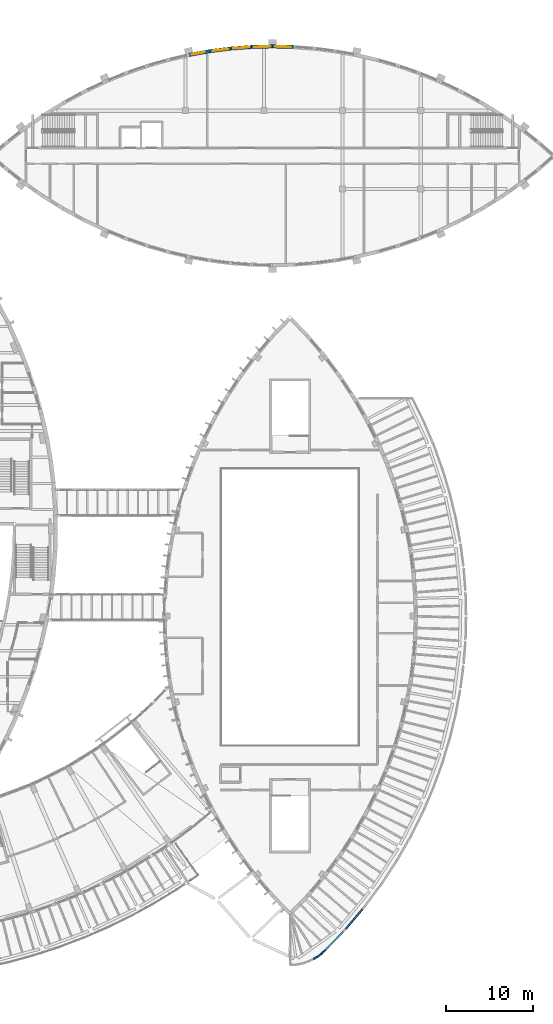
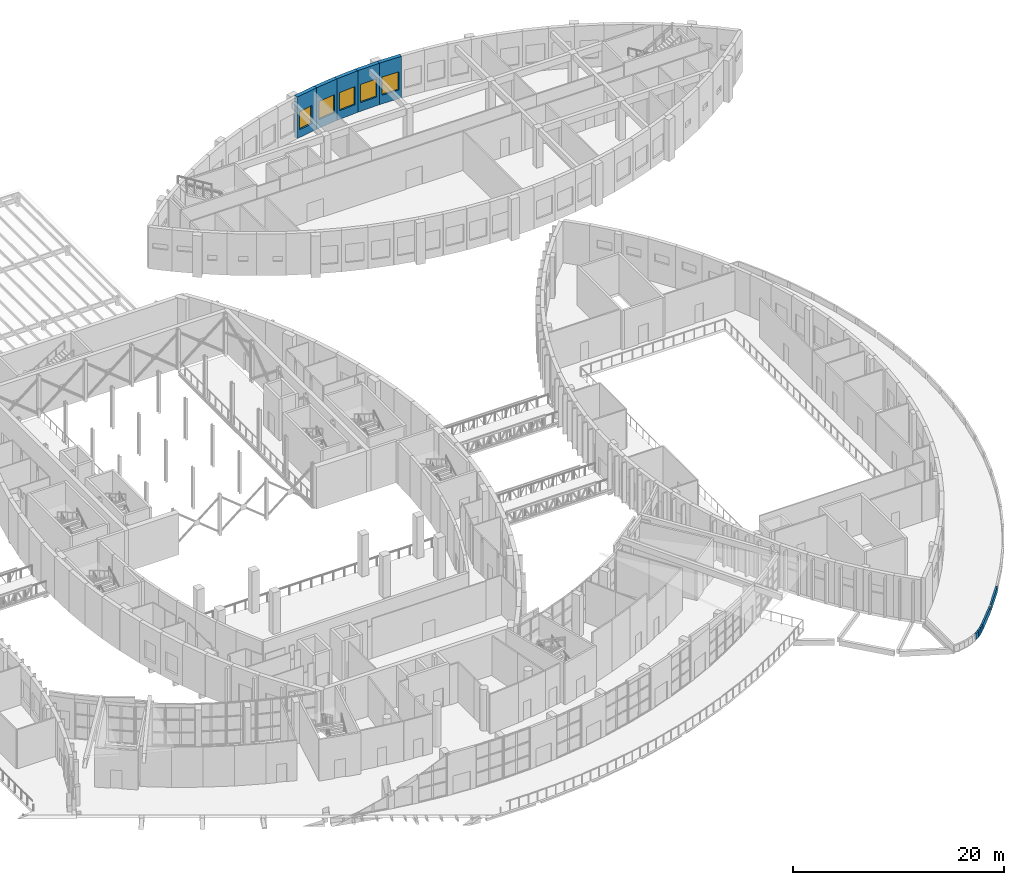
# One storey, part 72 of 93: 10 walls, 5 windows, 5 openings.
"""IFC4 building model written with IfcOpenShell, lengths in metres."""

from ifc_helpers import new_model, si_unit, direction, frame, frame_2d, origin, place, context, subcontext, project, spatial, rectangle, extrude, material, layer, layer_set, type_object, element, fill, save


model = new_model("IFC4")

# Units and contexts
model_context = context("Model", 3, precision=1e-05, world=origin(), true_north=direction((0.0, 1.0)))
body_context = subcontext(model_context, "Body", "Model", "MODEL_VIEW")
ifc_project = project(units=[si_unit("LENGTHUNIT", "METRE"), si_unit("AREAUNIT", "SQUARE_METRE"), si_unit("VOLUMEUNIT", "CUBIC_METRE"), si_unit("PLANEANGLEUNIT", "RADIAN"), si_unit("MASSUNIT", "GRAM", prefix="KILO")], contexts=[model_context])

# Site, building, storey
site_placement = place(None, origin())
site = spatial("IfcSite", under=ifc_project, at=site_placement, CompositionType="ELEMENT")
building_placement = place(site_placement, origin())
building = spatial("IfcBuilding", under=site, at=building_placement, Name="Tide Square Theatres", CompositionType="ELEMENT")
storey_placement = place(building_placement, frame((0.0, 0.0, 5.39990234375)))
storey = spatial("IfcBuildingStorey", under=building, at=storey_placement, Name="L01", CompositionType="ELEMENT", Elevation=5.39990234375)

# Wall, opening, window
ifc_material_1 = material(Name="Concrete C40", Category="concrete")
ifc_layer_1 = layer(ifc_material_1, 0.39990234375)
ifc_layer_set_1 = layer_set([ifc_layer_1], Name="Concrete C40")
wall_type_1 = type_object("IfcWallType", Name="RC curved wall 400 thick", PredefinedType="SOLIDWALL", material=ifc_layer_set_1)
wall_1_placement = place(storey_placement, frame((132.4052734375, 110.30810546875, 0.0), z_axis=(0.0, 0.0, 1.0), x_axis=(-0.999683321759, 0.025164582196, 0.0)))
wall_1 = element("IfcWall", 1, at=wall_1_placement, inside=storey, type_object=wall_type_1, Name="Rehearsal Block perimeter wall 041", PredefinedType="SOLIDWALL", context=body_context, shape_type="SweptSolid", body=[
    extrude(rectangle(XDim=2.406005859375, YDim=0.39990234375, at=frame_2d((1.203125, 0.0))), origin(), (0.0, 0.0, 1.0), 4.800048828125),
])
opening_1_placement = place(wall_1_placement, frame((0.302978515625, 0.0, 1.0)))
opening_1 = element("IfcOpeningElement", 2, at=opening_1_placement, cuts=wall_1, Name="Opening WN-14", PredefinedType="OPENING", context=body_context, shape_type="SweptSolid", body=[
    extrude(rectangle(XDim=1.800048828125, YDim=2.10009765625, at=frame_2d((0.89990234375, 1.050048828125))), frame((0.0, 0.2099609375, 0.0), z_axis=(0.0, -1.0, 0.0), x_axis=(1.0, 0.0, 0.0)), (0.0, 0.0, 1.0), 0.419921875),
])
ifc_material_2 = material(Name="Aluminium with laminated glass", Category="aluminium")
window_type_1 = type_object("IfcWindowType", Name="Window 1800 x 2100", PartitioningType="DOUBLE_PANEL_VERTICAL", PredefinedType="WINDOW", material=ifc_material_2)
window_1_placement = place(opening_1_placement, origin())
window_1 = element("IfcWindow", 3, at=window_1_placement, inside=storey, type_object=window_type_1, Name="Rehearsal Block window L01-78", OverallHeight=2.10009765625, OverallWidth=1.800048828125, PartitioningType="SINGLE_PANEL", PredefinedType="WINDOW", context=body_context, shape_type="SweptSolid", body=[
    extrude(rectangle(XDim=1.800048828125, YDim=2.10009765625, at=frame_2d((0.89990234375, 1.050048828125))), frame((0.0, 0.030029296875, 0.0), z_axis=(0.0, -1.0, 0.0), x_axis=(1.0, 0.0, 0.0)), (0.0, 0.0, 1.0), 0.06005859375),
])
fill(opening_1, window_1)

wall_2_placement = place(storey_placement, frame((130.0, 110.36865234375, 0.0), z_axis=(0.0, 0.0, 1.0), x_axis=(-0.999683321759, -0.025164582196, 0.0)))
wall_2 = element("IfcWall", 4, at=wall_2_placement, inside=storey, type_object=wall_type_1, Name="Rehearsal Block perimeter wall 042", PredefinedType="SOLIDWALL", context=body_context, shape_type="SweptSolid", body=[
    extrude(rectangle(XDim=2.406005859375, YDim=0.39990234375, at=frame_2d((1.203125, 0.0))), origin(), (0.0, 0.0, 1.0), 4.800048828125),
])
opening_2_placement = place(wall_2_placement, frame((0.302978515625, 0.0, 1.0)))
opening_2 = element("IfcOpeningElement", 5, at=opening_2_placement, cuts=wall_2, Name="Opening WN-14", PredefinedType="OPENING", context=body_context, shape_type="SweptSolid", body=[
    extrude(rectangle(XDim=1.800048828125, YDim=2.10009765625, at=frame_2d((0.89990234375, 1.050048828125))), frame((0.0, 0.2099609375, 0.0), z_axis=(0.0, -1.0, 0.0), x_axis=(1.0, 0.0, 0.0)), (0.0, 0.0, 1.0), 0.419921875),
])
window_2_placement = place(opening_2_placement, origin())
window_2 = element("IfcWindow", 6, at=window_2_placement, inside=storey, type_object=window_type_1, Name="Rehearsal Block window L01-79", OverallHeight=2.10009765625, OverallWidth=1.800048828125, PartitioningType="SINGLE_PANEL", PredefinedType="WINDOW", context=body_context, shape_type="SweptSolid", body=[
    extrude(rectangle(XDim=1.800048828125, YDim=2.10009765625, at=frame_2d((0.89990234375, 1.050048828125))), frame((0.0, 0.030029296875, 0.0), z_axis=(0.0, -1.0, 0.0), x_axis=(1.0, 0.0, 0.0)), (0.0, 0.0, 1.0), 0.06005859375),
])
fill(opening_2, window_2)

wall_3_placement = place(storey_placement, frame((127.5947265625, 110.30810546875, 0.0), z_axis=(0.0, 0.0, 1.0), x_axis=(-0.997153910364, -0.075392831525, 0.0)))
wall_3 = element("IfcWall", 7, at=wall_3_placement, inside=storey, type_object=wall_type_1, Name="Rehearsal Block perimeter wall 043", PredefinedType="SOLIDWALL", context=body_context, shape_type="SweptSolid", body=[
    extrude(rectangle(XDim=2.406005859375, YDim=0.39990234375, at=frame_2d((1.203125, 0.0))), origin(), (0.0, 0.0, 1.0), 4.800048828125),
])
opening_3_placement = place(wall_3_placement, frame((0.302978515625, 0.0, 1.0)))
opening_3 = element("IfcOpeningElement", 8, at=opening_3_placement, cuts=wall_3, Name="Opening WN-14", PredefinedType="OPENING", context=body_context, shape_type="SweptSolid", body=[
    extrude(rectangle(XDim=1.800048828125, YDim=2.10009765625, at=frame_2d((0.89990234375, 1.050048828125))), frame((0.0, 0.2099609375, 0.0), z_axis=(0.0, -1.0, 0.0), x_axis=(1.0, 0.0, 0.0)), (0.0, 0.0, 1.0), 0.419921875),
])
window_3_placement = place(opening_3_placement, origin())
window_3 = element("IfcWindow", 9, at=window_3_placement, inside=storey, type_object=window_type_1, Name="Rehearsal Block window L01-80", OverallHeight=2.10009765625, OverallWidth=1.800048828125, PartitioningType="SINGLE_PANEL", PredefinedType="WINDOW", context=body_context, shape_type="SweptSolid", body=[
    extrude(rectangle(XDim=1.800048828125, YDim=2.10009765625, at=frame_2d((0.89990234375, 1.050048828125))), frame((0.0, 0.030029296875, 0.0), z_axis=(0.0, -1.0, 0.0), x_axis=(1.0, 0.0, 0.0)), (0.0, 0.0, 1.0), 0.06005859375),
])
fill(opening_3, window_3)

wall_4_placement = place(storey_placement, frame((125.195556640625, 110.126708984375, 0.0), z_axis=(0.0, 0.0, 1.0), x_axis=(-0.99208939311, -0.125533406227, 0.0)))
wall_4 = element("IfcWall", 10, at=wall_4_placement, inside=storey, type_object=wall_type_1, Name="Rehearsal Block perimeter wall 044", PredefinedType="SOLIDWALL", context=body_context, shape_type="SweptSolid", body=[
    extrude(rectangle(XDim=2.40576171875, YDim=0.39990234375, at=frame_2d((1.202880859375, 0.0))), origin(), (0.0, 0.0, 1.0), 4.800048828125),
])
opening_4_placement = place(wall_4_placement, frame((0.302978515625, 0.0, 1.0)))
opening_4 = element("IfcOpeningElement", 11, at=opening_4_placement, cuts=wall_4, Name="Opening WN-14", PredefinedType="OPENING", context=body_context, shape_type="SweptSolid", body=[
    extrude(rectangle(XDim=1.800048828125, YDim=2.10009765625, at=frame_2d((0.89990234375, 1.050048828125))), frame((0.0, 0.2099609375, 0.0), z_axis=(0.0, -1.0, 0.0), x_axis=(1.0, 0.0, 0.0)), (0.0, 0.0, 1.0), 0.419921875),
])
window_4_placement = place(opening_4_placement, origin())
window_4 = element("IfcWindow", 12, at=window_4_placement, inside=storey, type_object=window_type_1, Name="Rehearsal Block window L01-81", OverallHeight=2.10009765625, OverallWidth=1.800048828125, PartitioningType="SINGLE_PANEL", PredefinedType="WINDOW", context=body_context, shape_type="SweptSolid", body=[
    extrude(rectangle(XDim=1.800048828125, YDim=2.10009765625, at=frame_2d((0.89990234375, 1.050048828125))), frame((0.0, 0.030029296875, 0.0), z_axis=(0.0, -1.0, 0.0), x_axis=(1.0, 0.0, 0.0)), (0.0, 0.0, 1.0), 0.06005859375),
])
fill(opening_4, window_4)

wall_5_placement = place(storey_placement, frame((122.808837890625, 109.82470703125, 0.0), z_axis=(0.0, 0.0, 1.0), x_axis=(-0.984524011381, -0.175249738987, 0.0)))
wall_5 = element("IfcWall", 13, at=wall_5_placement, inside=storey, type_object=wall_type_1, Name="Rehearsal Block perimeter wall 045", PredefinedType="SOLIDWALL", context=body_context, shape_type="SweptSolid", body=[
    extrude(rectangle(XDim=2.406005859375, YDim=0.39990234375, at=frame_2d((1.203125, 0.0))), origin(), (0.0, 0.0, 1.0), 4.800048828125),
])
opening_5_placement = place(wall_5_placement, frame((0.60302734375, 0.0, 0.89990234375)))
opening_5 = element("IfcOpeningElement", 14, at=opening_5_placement, cuts=wall_5, Name="Opening WN-01", PredefinedType="OPENING", context=body_context, shape_type="SweptSolid", body=[
    extrude(rectangle(XDim=1.5, YDim=2.10009765625, at=frame_2d((0.75, 1.050048828125))), frame((0.0, 0.2099609375, 0.0), z_axis=(0.0, -1.0, 0.0), x_axis=(1.0, 0.0, 0.0)), (0.0, 0.0, 1.0), 0.419921875),
])
ifc_material_3 = material(Name="Aluminium with laminated glass", Category="aluminium")
window_type_2 = type_object("IfcWindowType", Name="Window 1500 x 2100", PartitioningType="SINGLE_PANEL", PredefinedType="WINDOW", material=ifc_material_3)
window_5_placement = place(opening_5_placement, origin())
window_5 = element("IfcWindow", 15, at=window_5_placement, inside=storey, type_object=window_type_2, Name="Rehearsal Block window L01-82", OverallHeight=2.10009765625, OverallWidth=1.5, PartitioningType="SINGLE_PANEL", PredefinedType="WINDOW", context=body_context, shape_type="SweptSolid", body=[
    extrude(rectangle(XDim=1.5, YDim=2.10009765625, at=frame_2d((0.75, 1.050048828125))), frame((0.0, 0.030029296875, 0.0), z_axis=(0.0, -1.0, 0.0), x_axis=(1.0, 0.0, 0.0)), (0.0, 0.0, 1.0), 0.06005859375),
])
fill(opening_5, window_5)

# Walls
ifc_material_4 = material(Name="Concrete C40", Category="concrete")
ifc_layer_2 = layer(ifc_material_4, 0.179931640625)
ifc_layer_set_2 = layer_set([ifc_layer_2], Name="Concrete C40")
wall_type_2 = type_object("IfcWallType", Name="RC parapet 180 thick", PredefinedType="PARAPET", material=ifc_layer_set_2)
wall_6_placement = place(storey_placement, frame((140.35546875, 11.363037109375, 0.0), z_axis=(0.0, 0.0, 1.0), x_axis=(-0.649476190791, -0.760381928767, 0.0)))
element("IfcWall", 16, at=wall_6_placement, inside=storey, type_object=wall_type_2, Name="Arcade roof parapet", PredefinedType="PARAPET", context=body_context, shape_type="SweptSolid", body=[
    extrude(rectangle(XDim=3.04443359375, YDim=0.179931640625, at=frame_2d((1.522216796875, 0.0))), origin(), (0.0, 0.0, 1.0), 0.7001953125),
])
wall_7_placement = place(storey_placement, frame((138.13916015625, 8.785400390625, 0.0), z_axis=(0.0, 0.0, 1.0), x_axis=(-0.696359982945, -0.717692673888, 0.0)))
element("IfcWall", 17, at=wall_7_placement, inside=storey, type_object=wall_type_2, Name="Arcade roof parapet", PredefinedType="PARAPET", context=body_context, shape_type="SweptSolid", body=[
    extrude(rectangle(XDim=3.044189453125, YDim=0.179931640625, at=frame_2d((1.52197265625, 0.0))), origin(), (0.0, 0.0, 1.0), 0.7001953125),
])
wall_8_placement = place(storey_placement, frame((136.019287109375, 6.6005859375, 0.0), z_axis=(0.0, 0.0, 1.0), x_axis=(-0.731301597166, -0.682054230969, 0.0)))
element("IfcWall", 18, at=wall_8_placement, inside=storey, type_object=wall_type_2, Name="Arcade roof parapet", PredefinedType="PARAPET", context=body_context, shape_type="SweptSolid", body=[
    extrude(rectangle(XDim=0.560302734375, YDim=0.179931640625, at=frame_2d((0.2802734375, 0.0))), origin(), (0.0, 0.0, 1.0), 0.7001953125),
])
wall_9_placement = place(storey_placement, frame((135.609619140625, 6.218505859375, 0.0), z_axis=(0.0, 0.0, 1.0), x_axis=(-0.795901746742, -0.605425808447, 0.0)))
element("IfcWall", 19, at=wall_9_placement, inside=storey, type_object=wall_type_2, Name="Arcade roof parapet", PredefinedType="PARAPET", context=body_context, shape_type="SweptSolid", body=[
    extrude(rectangle(XDim=0.56005859375, YDim=0.179931640625, at=frame_2d((0.280029296875, 0.0))), origin(), (0.0, 0.0, 1.0), 0.7001953125),
])
wall_10_placement = place(storey_placement, frame((135.163818359375, 5.87939453125, 0.0), z_axis=(0.0, 0.0, 1.0), x_axis=(-0.852375704039, -0.522929879778, 0.0)))
element("IfcWall", 20, at=wall_10_placement, inside=storey, type_object=wall_type_2, Name="Arcade roof parapet", PredefinedType="PARAPET", context=body_context, shape_type="SweptSolid", body=[
    extrude(rectangle(XDim=0.560302734375, YDim=0.179931640625, at=frame_2d((0.2802734375, 0.0))), origin(), (0.0, 0.0, 1.0), 0.7001953125),
])

save(model, "model.ifc")
